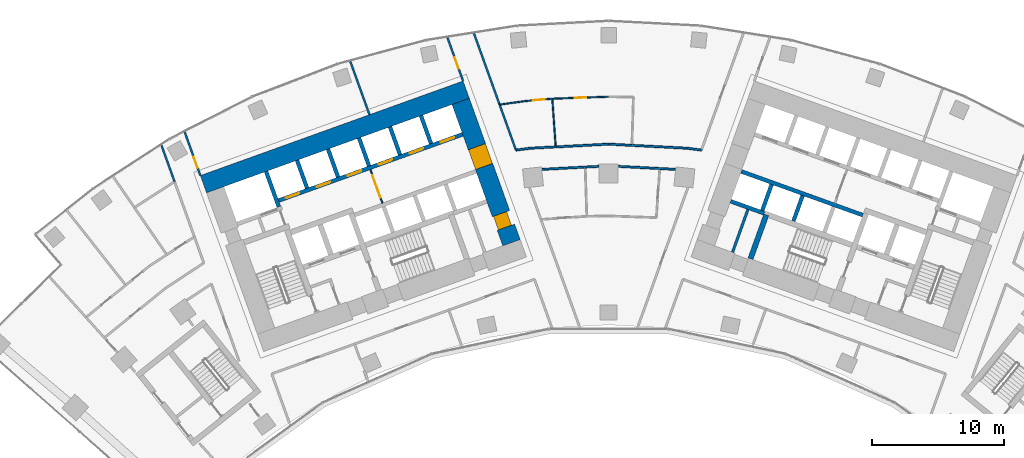
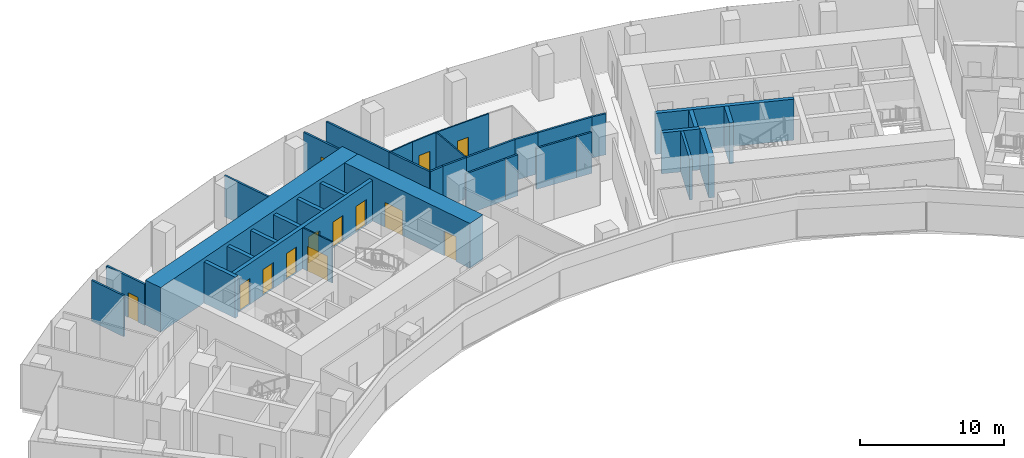
# One storey, part 15 of 21: 36 walls, 13 doors, 13 openings.
"""IFC4 building model written with IfcOpenShell, lengths in metres."""

from ifc_helpers import new_model, si_unit, direction, frame, frame_2d, origin, place, context, subcontext, project, spatial, rectangle, extrude, material, layer, layer_set, type_object, element, fill, save


model = new_model("IFC4")

# Units and contexts
model_context = context("Model", 3, precision=1e-05, world=origin(), true_north=direction((0.0, 1.0)))
body_context = subcontext(model_context, "Body", "Model", "MODEL_VIEW")
ifc_project = project(units=[si_unit("LENGTHUNIT", "METRE"), si_unit("AREAUNIT", "SQUARE_METRE"), si_unit("VOLUMEUNIT", "CUBIC_METRE"), si_unit("PLANEANGLEUNIT", "RADIAN"), si_unit("MASSUNIT", "GRAM", prefix="KILO")], contexts=[model_context])

# Site, building, storey
site_placement = place(None, origin())
site = spatial("IfcSite", under=ifc_project, at=site_placement, CompositionType="ELEMENT")
building_placement = place(site_placement, origin())
building = spatial("IfcBuilding", under=site, at=building_placement, Name="Stone Belt Terrace Tower", CompositionType="ELEMENT")
storey_placement = place(building_placement, frame((0.0, 0.0, 117.39990234375)))
storey = spatial("IfcBuildingStorey", under=building, at=storey_placement, Name="L28", CompositionType="ELEMENT", Elevation=117.39990234375)

# Wall, opening, door
ifc_material_1 = material(Name="Plasterboard partition")
ifc_layer_1 = layer(ifc_material_1, 0.10009765625)
ifc_layer_set_1 = layer_set([ifc_layer_1], Name="Core partition 100")
wall_type_1 = type_object("IfcWallType", Name="Core partition 100", PredefinedType="PARTITIONING", material=ifc_layer_set_1)
wall_1_placement = place(storey_placement, frame((-17.17724609375, 52.749755859375, 0.0), z_axis=(0.0, 0.0, 1.0), x_axis=(-0.338546555931, 0.940949642365, 0.0)))
wall_1 = element("IfcWall", 1, at=wall_1_placement, inside=storey, type_object=wall_type_1, Name="Core A wall", PredefinedType="PARTITIONING", context=body_context, shape_type="SweptSolid", body=[
    extrude(rectangle(XDim=2.699951171875, YDim=0.10009765625, at=frame_2d((1.35009765625, 0.0))), origin(), (0.0, 0.0, 1.0), 3.47998046875),
])
opening_1_placement = place(wall_1_placement, frame((0.449951171875, 0.0, 0.0)))
opening_1 = element("IfcOpeningElement", 2, at=opening_1_placement, cuts=wall_1, Name="Opening L28-C03", PredefinedType="OPENING", context=body_context, shape_type="SweptSolid", body=[
    extrude(rectangle(XDim=1.800048828125, YDim=2.10009765625, at=frame_2d((0.89990234375, 1.050048828125))), frame((0.0, 0.06005859375, 0.0), z_axis=(0.0, -1.0, 0.0), x_axis=(1.0, 0.0, 0.0)), (0.0, 0.0, 1.0), 0.1201171875),
])
ifc_material_2 = material(Name="Glazed aluminium door leaf", Category="aluminium")
door_type_1 = type_object("IfcDoorType", Name="Lift lobby entrance door 1800", OperationType="DOUBLE_DOOR_SINGLE_SWING", PredefinedType="DOOR", material=ifc_material_2)
door_1_placement = place(opening_1_placement, origin())
door_1 = element("IfcDoor", 3, at=door_1_placement, inside=storey, type_object=door_type_1, Name="Lift lobby double door core A", OperationType="DOUBLE_DOOR_SINGLE_SWING", OverallHeight=2.10009765625, OverallWidth=1.800048828125, PredefinedType="DOOR", context=body_context, shape_type="SweptSolid", body=[
    extrude(rectangle(XDim=1.800048828125, YDim=2.10009765625, at=frame_2d((0.89990234375, 1.050048828125))), frame((0.0, 0.02490234375, 0.0), z_axis=(0.0, -1.0, 0.0), x_axis=(1.0, 0.0, 0.0)), (0.0, 0.0, 1.0), 0.050048828125),
])
fill(opening_1, door_1)

# Wall
ifc_material_3 = material(Name="Concrete B80", Category="concrete")
ifc_layer_2 = layer(ifc_material_3, 1.39990234375)
ifc_layer_set_2 = layer_set([ifc_layer_2], Name="Core wall 1400 B80")
wall_type_2 = type_object("IfcWallType", Name="Core wall 1400 B80", PredefinedType="SHEAR", material=ifc_layer_set_2)
wall_2_placement = place(storey_placement, frame((-30.765380859375, 54.18310546875, 0.0), z_axis=(0.0, 0.0, 1.0), x_axis=(0.940919704758, 0.338629752382, 0.0)))
element("IfcWall", 4, at=wall_2_placement, inside=storey, type_object=wall_type_2, Name="Core A wall convex L28", PredefinedType="SHEAR", context=body_context, shape_type="SweptSolid", body=[
    extrude(rectangle(XDim=21.199951171875, YDim=1.39990234375, at=frame_2d((10.60009765625, 0.0))), origin(), (0.0, 0.0, 1.0), 3.800048828125),
])

# Wall, openings, doors
wall_3_placement = place(storey_placement, frame((-7.379150390625, 49.73974609375, 0.0), z_axis=(0.0, 0.0, 1.0), x_axis=(-0.338625431531, 0.940921259788, 0.0)))
wall_3 = element("IfcWall", 5, at=wall_3_placement, inside=storey, type_object=wall_type_2, Name="Core A wall end_b L28", PredefinedType="SHEAR", context=body_context, shape_type="SweptSolid", body=[
    extrude(rectangle(XDim=11.400146484375, YDim=1.39990234375, at=frame_2d((5.7001953125, 0.0))), origin(), (0.0, 0.0, 1.0), 3.800048828125),
])
opening_2_placement = place(wall_3_placement, frame((6.14990234375, 0.0, 0.0)))
opening_2 = element("IfcOpeningElement", 6, at=opening_2_placement, cuts=wall_3, Name="Opening L28-C04", PredefinedType="OPENING", context=body_context, shape_type="SweptSolid", body=[
    extrude(rectangle(XDim=1.60009765625, YDim=2.10009765625, at=frame_2d((0.800048828125, 1.050048828125))), frame((0.0, 0.7099609375, 0.0), z_axis=(0.0, -1.0, 0.0), x_axis=(1.0, 0.0, 0.0)), (0.0, 0.0, 1.0), 1.419921875),
])
opening_3_placement = place(wall_3_placement, frame((1.25, 0.0, 0.0)))
opening_3 = element("IfcOpeningElement", 7, at=opening_3_placement, cuts=wall_3, Name="Opening L28-C10", PredefinedType="OPENING", context=body_context, shape_type="SweptSolid", body=[
    extrude(rectangle(XDim=1.10009765625, YDim=2.10009765625, at=frame_2d((0.550048828125, 1.050048828125))), frame((0.0, 0.7099609375, 0.0), z_axis=(0.0, -1.0, 0.0), x_axis=(1.0, 0.0, 0.0)), (0.0, 0.0, 1.0), 1.419921875),
])
ifc_material_4 = material(Name="Timber door leaf", Category="wood")
door_type_2 = type_object("IfcDoorType", Name="Core room door 1100", OperationType="SINGLE_SWING_LEFT", PredefinedType="DOOR", material=ifc_material_4)
door_2_placement = place(opening_3_placement, origin())
door_2 = element("IfcDoor", 8, at=door_2_placement, inside=storey, type_object=door_type_2, Name="Door to Cleaner's store core A", OperationType="SINGLE_SWING_RIGHT", OverallHeight=2.10009765625, OverallWidth=1.10009765625, PredefinedType="DOOR", context=body_context, shape_type="SweptSolid", body=[
    extrude(rectangle(XDim=1.10009765625, YDim=2.10009765625, at=frame_2d((0.550048828125, 1.050048828125))), frame((0.0, 0.60498046875, 0.0), z_axis=(0.0, -1.0, 0.0), x_axis=(1.0, 0.0, 0.0)), (0.0, 0.0, 1.0), 1.050048828125),
])
fill(opening_3, door_2)
door_type_3 = type_object("IfcDoorType", Name="Lift lobby entrance door 1600", OperationType="DOUBLE_DOOR_SINGLE_SWING", PredefinedType="DOOR", material=ifc_material_2)
door_3_placement = place(opening_2_placement, origin())
door_3 = element("IfcDoor", 9, at=door_3_placement, inside=storey, type_object=door_type_3, Name="Lift lobby entrance door core A", OperationType="DOUBLE_DOOR_SINGLE_SWING", OverallHeight=2.10009765625, OverallWidth=1.60009765625, PredefinedType="DOOR", context=body_context, shape_type="SweptSolid", body=[
    extrude(rectangle(XDim=1.60009765625, YDim=2.10009765625, at=frame_2d((0.800048828125, 1.050048828125))), frame((0.0, 0.68017578125, 0.0), z_axis=(0.0, -1.0, 0.0), x_axis=(1.0, 0.0, 0.0)), (0.0, 0.0, 1.0), 1.360107421875),
])
fill(opening_2, door_3)

# Wall
ifc_layer_3 = layer(ifc_material_3, 0.300048828125)
ifc_layer_set_3 = layer_set([ifc_layer_3], Name="Lift shaft wall 300")
wall_type_3 = type_object("IfcWallType", Name="Lift shaft wall 300", PredefinedType="SHEAR", material=ifc_layer_set_3)
wall_4_placement = place(storey_placement, frame((-25.046875, 52.46826171875, 0.0), z_axis=(0.0, 0.0, 1.0), x_axis=(-0.338549588058, 0.940948551423, 0.0)))
element("IfcWall", 10, at=wall_4_placement, inside=storey, type_object=wall_type_3, Name="Core A wall", PredefinedType="SHEAR", context=body_context, shape_type="SweptSolid", body=[
    extrude(rectangle(XDim=2.849853515625, YDim=0.300048828125, at=frame_2d((1.4248046875, 0.0))), origin(), (0.0, 0.0, 1.0), 3.47998046875),
])

# Wall, openings, doors
wall_5_placement = place(storey_placement, frame((-25.05810546875, 52.9423828125, 0.0), z_axis=(0.0, 0.0, 1.0), x_axis=(0.940918215764, 0.338633889685, 0.0)))
wall_5 = element("IfcWall", 11, at=wall_5_placement, inside=storey, type_object=wall_type_3, Name="Core A wall", PredefinedType="SHEAR", context=body_context, shape_type="SweptSolid", body=[
    extrude(rectangle(XDim=14.850341796875, YDim=0.300048828125, at=frame_2d((7.42529296875, 0.0))), origin(), (0.0, 0.0, 1.0), 3.47998046875),
])
opening_4_placement = place(wall_5_placement, frame((0.570068359375, 0.0, 0.0)))
opening_4 = element("IfcOpeningElement", 12, at=opening_4_placement, cuts=wall_5, Name="Opening L28-LD01", PredefinedType="OPENING", context=body_context, shape_type="SweptSolid", body=[
    extrude(rectangle(XDim=1.10009765625, YDim=2.199951171875, at=frame_2d((0.550048828125, 1.10009765625))), frame((0.0, 0.159912109375, 0.0), z_axis=(0.0, -1.0, 0.0), x_axis=(1.0, 0.0, 0.0)), (0.0, 0.0, 1.0), 0.320068359375),
])
opening_5_placement = place(wall_5_placement, frame((3.070068359375, 0.0, 0.0)))
opening_5 = element("IfcOpeningElement", 13, at=opening_5_placement, cuts=wall_5, Name="Opening L28-LD02", PredefinedType="OPENING", context=body_context, shape_type="SweptSolid", body=[
    extrude(rectangle(XDim=1.10009765625, YDim=2.199951171875, at=frame_2d((0.550048828125, 1.10009765625))), frame((0.0, 0.159912109375, 0.0), z_axis=(0.0, -1.0, 0.0), x_axis=(1.0, 0.0, 0.0)), (0.0, 0.0, 1.0), 0.320068359375),
])
opening_6_placement = place(wall_5_placement, frame((5.570068359375, 0.0, 0.0)))
opening_6 = element("IfcOpeningElement", 14, at=opening_6_placement, cuts=wall_5, Name="Opening L28-LD03", PredefinedType="OPENING", context=body_context, shape_type="SweptSolid", body=[
    extrude(rectangle(XDim=1.10009765625, YDim=2.199951171875, at=frame_2d((0.550048828125, 1.10009765625))), frame((0.0, 0.159912109375, 0.0), z_axis=(0.0, -1.0, 0.0), x_axis=(1.0, 0.0, 0.0)), (0.0, 0.0, 1.0), 0.320068359375),
])
opening_7_placement = place(wall_5_placement, frame((8.070068359375, 0.0, 0.0)))
opening_7 = element("IfcOpeningElement", 15, at=opening_7_placement, cuts=wall_5, Name="Opening L28-LD04", PredefinedType="OPENING", context=body_context, shape_type="SweptSolid", body=[
    extrude(rectangle(XDim=1.10009765625, YDim=2.199951171875, at=frame_2d((0.550048828125, 1.10009765625))), frame((0.0, 0.159912109375, 0.0), z_axis=(0.0, -1.0, 0.0), x_axis=(1.0, 0.0, 0.0)), (0.0, 0.0, 1.0), 0.320068359375),
])
opening_8_placement = place(wall_5_placement, frame((10.570068359375, 0.0, 0.0)))
opening_8 = element("IfcOpeningElement", 16, at=opening_8_placement, cuts=wall_5, Name="Opening L28-LD05", PredefinedType="OPENING", context=body_context, shape_type="SweptSolid", body=[
    extrude(rectangle(XDim=1.10009765625, YDim=2.199951171875, at=frame_2d((0.550048828125, 1.10009765625))), frame((0.0, 0.159912109375, 0.0), z_axis=(0.0, -1.0, 0.0), x_axis=(1.0, 0.0, 0.0)), (0.0, 0.0, 1.0), 0.320068359375),
])
opening_9_placement = place(wall_5_placement, frame((13.070068359375, 0.0, 0.0)))
opening_9 = element("IfcOpeningElement", 17, at=opening_9_placement, cuts=wall_5, Name="Opening L28-LD06", PredefinedType="OPENING", context=body_context, shape_type="SweptSolid", body=[
    extrude(rectangle(XDim=1.10009765625, YDim=2.199951171875, at=frame_2d((0.550048828125, 1.10009765625))), frame((0.0, 0.159912109375, 0.0), z_axis=(0.0, -1.0, 0.0), x_axis=(1.0, 0.0, 0.0)), (0.0, 0.0, 1.0), 0.320068359375),
])
ifc_material_5 = material(Name="Stainless steel door leaf", Category="steel")
door_type_4 = type_object("IfcDoorType", Name="Landing door 1100", OperationType="SLIDING_TO_LEFT", PredefinedType="DOOR", material=ifc_material_5)
door_4_placement = place(opening_4_placement, origin())
door_4 = element("IfcDoor", 18, at=door_4_placement, inside=storey, type_object=door_type_4, Name="Landing door LR1 core A", OperationType="SLIDING_TO_LEFT", OverallHeight=2.199951171875, OverallWidth=1.10009765625, PredefinedType="DOOR", context=body_context, shape_type="SweptSolid", body=[
    extrude(rectangle(XDim=1.10009765625, YDim=2.199951171875, at=frame_2d((0.550048828125, 1.10009765625))), frame((0.0, 0.02490234375, 0.0), z_axis=(0.0, -1.0, 0.0), x_axis=(1.0, 0.0, 0.0)), (0.0, 0.0, 1.0), 0.050048828125),
])
fill(opening_4, door_4)
door_5_placement = place(opening_5_placement, origin())
door_5 = element("IfcDoor", 19, at=door_5_placement, inside=storey, type_object=door_type_4, Name="Landing door LR2 core A", OperationType="SLIDING_TO_LEFT", OverallHeight=2.199951171875, OverallWidth=1.10009765625, PredefinedType="DOOR", context=body_context, shape_type="SweptSolid", body=[
    extrude(rectangle(XDim=1.10009765625, YDim=2.199951171875, at=frame_2d((0.550048828125, 1.10009765625))), frame((0.0, 0.02490234375, 0.0), z_axis=(0.0, -1.0, 0.0), x_axis=(1.0, 0.0, 0.0)), (0.0, 0.0, 1.0), 0.050048828125),
])
fill(opening_5, door_5)
door_6_placement = place(opening_6_placement, origin())
door_6 = element("IfcDoor", 20, at=door_6_placement, inside=storey, type_object=door_type_4, Name="Landing door LR3 core A", OperationType="SLIDING_TO_LEFT", OverallHeight=2.199951171875, OverallWidth=1.10009765625, PredefinedType="DOOR", context=body_context, shape_type="SweptSolid", body=[
    extrude(rectangle(XDim=1.10009765625, YDim=2.199951171875, at=frame_2d((0.550048828125, 1.10009765625))), frame((0.0, 0.02490234375, 0.0), z_axis=(0.0, -1.0, 0.0), x_axis=(1.0, 0.0, 0.0)), (0.0, 0.0, 1.0), 0.050048828125),
])
fill(opening_6, door_6)
door_7_placement = place(opening_7_placement, origin())
door_7 = element("IfcDoor", 21, at=door_7_placement, inside=storey, type_object=door_type_4, Name="Landing door LR4 core A", OperationType="SLIDING_TO_LEFT", OverallHeight=2.199951171875, OverallWidth=1.10009765625, PredefinedType="DOOR", context=body_context, shape_type="SweptSolid", body=[
    extrude(rectangle(XDim=1.10009765625, YDim=2.199951171875, at=frame_2d((0.550048828125, 1.10009765625))), frame((0.0, 0.02490234375, 0.0), z_axis=(0.0, -1.0, 0.0), x_axis=(1.0, 0.0, 0.0)), (0.0, 0.0, 1.0), 0.050048828125),
])
fill(opening_7, door_7)
door_8_placement = place(opening_8_placement, origin())
door_8 = element("IfcDoor", 22, at=door_8_placement, inside=storey, type_object=door_type_4, Name="Landing door LR5 core A", OperationType="SLIDING_TO_LEFT", OverallHeight=2.199951171875, OverallWidth=1.10009765625, PredefinedType="DOOR", context=body_context, shape_type="SweptSolid", body=[
    extrude(rectangle(XDim=1.10009765625, YDim=2.199951171875, at=frame_2d((0.550048828125, 1.10009765625))), frame((0.0, 0.02490234375, 0.0), z_axis=(0.0, -1.0, 0.0), x_axis=(1.0, 0.0, 0.0)), (0.0, 0.0, 1.0), 0.050048828125),
])
fill(opening_8, door_8)
door_9_placement = place(opening_9_placement, origin())
door_9 = element("IfcDoor", 23, at=door_9_placement, inside=storey, type_object=door_type_4, Name="Landing door LR6 core A", OperationType="SLIDING_TO_LEFT", OverallHeight=2.199951171875, OverallWidth=1.10009765625, PredefinedType="DOOR", context=body_context, shape_type="SweptSolid", body=[
    extrude(rectangle(XDim=1.10009765625, YDim=2.199951171875, at=frame_2d((0.550048828125, 1.10009765625))), frame((0.0, 0.02490234375, 0.0), z_axis=(0.0, -1.0, 0.0), x_axis=(1.0, 0.0, 0.0)), (0.0, 0.0, 1.0), 0.050048828125),
])
fill(opening_9, door_9)

# Walls
wall_6_placement = place(storey_placement, frame((-22.897705078125, 53.87939453125, 0.0), z_axis=(0.0, 0.0, 1.0), x_axis=(-0.338535034312, 0.940953787677, 0.0)))
element("IfcWall", 24, at=wall_6_placement, inside=storey, type_object=wall_type_3, Name="Core A wall", PredefinedType="SHEAR", context=body_context, shape_type="SweptSolid", body=[
    extrude(rectangle(XDim=2.25, YDim=0.300048828125, at=frame_2d((1.125, 0.0))), origin(), (0.0, 0.0, 1.0), 3.47998046875),
])
wall_7_placement = place(storey_placement, frame((-20.54541015625, 54.72607421875, 0.0), z_axis=(0.0, 0.0, 1.0), x_axis=(-0.338569601369, 0.940941350472, 0.0)))
element("IfcWall", 25, at=wall_7_placement, inside=storey, type_object=wall_type_3, Name="Core A wall", PredefinedType="SHEAR", context=body_context, shape_type="SweptSolid", body=[
    extrude(rectangle(XDim=2.249755859375, YDim=0.300048828125, at=frame_2d((1.125, 0.0))), origin(), (0.0, 0.0, 1.0), 3.47998046875),
])
wall_8_placement = place(storey_placement, frame((-18.193115234375, 55.572509765625, 0.0), z_axis=(0.0, 0.0, 1.0), x_axis=(-0.338535034312, 0.940953787677, 0.0)))
element("IfcWall", 26, at=wall_8_placement, inside=storey, type_object=wall_type_3, Name="Core A wall", PredefinedType="SHEAR", context=body_context, shape_type="SweptSolid", body=[
    extrude(rectangle(XDim=2.25, YDim=0.300048828125, at=frame_2d((1.125, 0.0))), origin(), (0.0, 0.0, 1.0), 3.47998046875),
])
wall_9_placement = place(storey_placement, frame((-15.8408203125, 56.419189453125, 0.0), z_axis=(0.0, 0.0, 1.0), x_axis=(-0.338569601369, 0.940941350472, 0.0)))
element("IfcWall", 27, at=wall_9_placement, inside=storey, type_object=wall_type_3, Name="Core A wall", PredefinedType="SHEAR", context=body_context, shape_type="SweptSolid", body=[
    extrude(rectangle(XDim=2.249755859375, YDim=0.300048828125, at=frame_2d((1.125, 0.0))), origin(), (0.0, 0.0, 1.0), 3.47998046875),
])
wall_10_placement = place(storey_placement, frame((-13.48828125, 57.265625, 0.0), z_axis=(0.0, 0.0, 1.0), x_axis=(-0.338631098537, 0.940919220286, 0.0)))
element("IfcWall", 28, at=wall_10_placement, inside=storey, type_object=wall_type_3, Name="Core A wall", PredefinedType="SHEAR", context=body_context, shape_type="SweptSolid", body=[
    extrude(rectangle(XDim=2.250244140625, YDim=0.300048828125, at=frame_2d((1.125, 0.0))), origin(), (0.0, 0.0, 1.0), 3.47998046875),
])
wall_11_placement = place(storey_placement, frame((19.29052734375, 51.829833984375, 0.0), z_axis=(0.0, 0.0, 1.0), x_axis=(-0.940925833398, 0.338612722803, 0.0)))
element("IfcWall", 29, at=wall_11_placement, inside=storey, type_object=wall_type_3, Name="Core B wall", PredefinedType="SHEAR", context=body_context, shape_type="SweptSolid", body=[
    extrude(rectangle(XDim=9.7998046875, YDim=0.300048828125, at=frame_2d((4.89990234375, 0.0))), origin(), (0.0, 0.0, 1.0), 3.47998046875),
])
wall_12_placement = place(storey_placement, frame((14.029052734375, 51.38525390625, 0.0), z_axis=(0.0, 0.0, 1.0), x_axis=(0.338681515556, 0.940901073982, 0.0)))
element("IfcWall", 30, at=wall_12_placement, inside=storey, type_object=wall_type_3, Name="Core B wall", PredefinedType="SHEAR", context=body_context, shape_type="SweptSolid", body=[
    extrude(rectangle(XDim=2.050048828125, YDim=0.300048828125, at=frame_2d((1.02490234375, 0.0))), origin(), (0.0, 0.0, 1.0), 3.47998046875),
])
wall_13_placement = place(storey_placement, frame((11.797119140625, 51.975830078125, 0.0), z_axis=(0.0, 0.0, 1.0), x_axis=(-0.940910465161, 0.33865542451, 0.0)))
element("IfcWall", 31, at=wall_13_placement, inside=storey, type_object=wall_type_3, Name="Core B wall", PredefinedType="SHEAR", context=body_context, shape_type="SweptSolid", body=[
    extrude(rectangle(XDim=2.69970703125, YDim=0.300048828125, at=frame_2d((1.349853515625, 0.0))), origin(), (0.0, 0.0, 1.0), 3.47998046875),
])
wall_14_placement = place(storey_placement, frame((11.659912109375, 52.184814453125, 0.0), z_axis=(0.0, 0.0, 1.0), x_axis=(0.338670064856, 0.940905195634, 0.0)))
element("IfcWall", 32, at=wall_14_placement, inside=storey, type_object=wall_type_3, Name="Core B wall", PredefinedType="SHEAR", context=body_context, shape_type="SweptSolid", body=[
    extrude(rectangle(XDim=2.099853515625, YDim=0.300048828125, at=frame_2d((1.0498046875, 0.0))), origin(), (0.0, 0.0, 1.0), 3.47998046875),
])

# Wall, opening, door
ifc_material_6 = material(Name="Gypsum board partition")
ifc_layer_4 = layer(ifc_material_6, 0.10009765625)
ifc_layer_set_4 = layer_set([ifc_layer_4], Name="PARTITION 100")
wall_type_4 = type_object("IfcWallType", Name="PARTITION 100", PredefinedType="PARTITIONING", material=ifc_layer_set_4)
wall_15_placement = place(storey_placement, frame((-4.281005859375, 60.674072265625, 0.0), z_axis=(0.0, 0.0, 1.0), x_axis=(-0.996177048446, -0.087357244404, 0.0)))
wall_15 = element("IfcWall", 33, at=wall_15_placement, inside=storey, type_object=wall_type_4, Name="L28/wall/i100", PredefinedType="PARTITIONING", context=body_context, shape_type="SweptSolid", body=[
    extrude(rectangle(XDim=2.0849609375, YDim=0.10009765625, at=frame_2d((1.04248046875, 0.0))), origin(), (0.0, 0.0, 1.0), 3.47998046875),
])
opening_10_placement = place(wall_15_placement, frame((0.592529296875, 0.0, 0.0)))
opening_10 = element("IfcOpeningElement", 34, at=opening_10_placement, cuts=wall_15, Name="Opening D-B4-32", PredefinedType="OPENING", context=body_context, shape_type="SweptSolid", body=[
    extrude(rectangle(XDim=0.89990234375, YDim=2.10009765625, at=frame_2d((0.449951171875, 1.050048828125))), frame((0.0, 0.06005859375, 0.0), z_axis=(0.0, -1.0, 0.0), x_axis=(1.0, 0.0, 0.0)), (0.0, 0.0, 1.0), 0.1201171875),
])
door_type_5 = type_object("IfcDoorType", Name="OFFICE DOOR 900 X 2100", OperationType="NOTDEFINED", PredefinedType="DOOR", material=ifc_material_4)
door_10_placement = place(opening_10_placement, origin())
door_10 = element("IfcDoor", 35, at=door_10_placement, inside=storey, type_object=door_type_5, Name="L28/door/i32", OperationType="SINGLE_SWING_RIGHT", OverallHeight=2.10009765625, OverallWidth=0.89990234375, PredefinedType="DOOR", context=body_context, shape_type="SweptSolid", body=[
    extrude(rectangle(XDim=0.89990234375, YDim=2.10009765625, at=frame_2d((0.449951171875, 1.050048828125))), frame((0.0, 0.02490234375, 0.0), z_axis=(0.0, -1.0, 0.0), x_axis=(1.0, 0.0, 0.0)), (0.0, 0.0, 1.0), 0.050048828125),
])
fill(opening_10, door_10)

# Wall
wall_16_placement = place(storey_placement, frame((-6.35791015625, 60.491943359375, 0.0), z_axis=(0.0, 0.0, 1.0), x_axis=(-0.990460391638, -0.137797723478, 0.0)))
element("IfcWall", 36, at=wall_16_placement, inside=storey, type_object=wall_type_4, Name="L28/wall/i101", PredefinedType="PARTITIONING", context=body_context, shape_type="SweptSolid", body=[
    extrude(rectangle(XDim=1.943603515625, YDim=0.10009765625, at=frame_2d((0.9716796875, 0.0))), origin(), (0.0, 0.0, 1.0), 3.47998046875),
])

# Wall, opening, door
wall_17_placement = place(storey_placement, frame((0.0, 60.824951171875, 0.0), z_axis=(0.0, 0.0, 1.0), x_axis=(-0.999379515327, -0.035221929882, 0.0)))
wall_17 = element("IfcWall", 37, at=wall_17_placement, inside=storey, type_object=wall_type_4, Name="L28/wall/i104", PredefinedType="PARTITIONING", context=body_context, shape_type="SweptSolid", body=[
    extrude(rectangle(XDim=4.28369140625, YDim=0.10009765625, at=frame_2d((2.141845703125, 0.0))), origin(), (0.0, 0.0, 1.0), 3.47998046875),
])
opening_11_placement = place(wall_17_placement, frame((1.69189453125, 0.0, 0.0)))
opening_11 = element("IfcOpeningElement", 38, at=opening_11_placement, cuts=wall_17, Name="Opening D-B4-33", PredefinedType="OPENING", context=body_context, shape_type="SweptSolid", body=[
    extrude(rectangle(XDim=0.89990234375, YDim=2.10009765625, at=frame_2d((0.449951171875, 1.050048828125))), frame((0.0, 0.06005859375, 0.0), z_axis=(0.0, -1.0, 0.0), x_axis=(1.0, 0.0, 0.0)), (0.0, 0.0, 1.0), 0.1201171875),
])
door_11_placement = place(opening_11_placement, origin())
door_11 = element("IfcDoor", 39, at=door_11_placement, inside=storey, type_object=door_type_5, Name="L28/door/i33", OperationType="SINGLE_SWING_RIGHT", OverallHeight=2.10009765625, OverallWidth=0.89990234375, PredefinedType="DOOR", context=body_context, shape_type="SweptSolid", body=[
    extrude(rectangle(XDim=0.89990234375, YDim=2.10009765625, at=frame_2d((0.449951171875, 1.050048828125))), frame((0.0, 0.02490234375, 0.0), z_axis=(0.0, -1.0, 0.0), x_axis=(1.0, 0.0, 0.0)), (0.0, 0.0, 1.0), 0.050048828125),
])
fill(opening_11, door_11)

# Wall
wall_18_placement = place(storey_placement, frame((-4.281005859375, 60.674072265625, 0.0), z_axis=(0.0, 0.0, 1.0), x_axis=(0.070613257155, -0.997503768371, 0.0)))
element("IfcWall", 40, at=wall_18_placement, inside=storey, type_object=wall_type_4, Name="L28/wall/i105", PredefinedType="PARTITIONING", context=body_context, shape_type="SweptSolid", body=[
    extrude(rectangle(XDim=3.66845703125, YDim=0.10009765625, at=frame_2d((1.834228515625, 0.0))), origin(), (0.0, 0.0, 1.0), 3.47998046875),
])

# Wall, opening, door
ifc_layer_5 = layer(ifc_material_6, 0.14990234375)
ifc_layer_set_5 = layer_set([ifc_layer_5], Name="PARTITION 150 EI 60")
wall_type_5 = type_object("IfcWallType", Name="PARTITION 150 EI 60", PredefinedType="PARTITIONING", material=ifc_layer_set_5)
wall_19_placement = place(storey_placement, frame((-32.185791015625, 58.131103515625, 0.0), z_axis=(0.0, 0.0, 1.0), x_axis=(0.338662585219, -0.940907887826, 0.0)))
wall_19 = element("IfcWall", 41, at=wall_19_placement, inside=storey, type_object=wall_type_5, Name="L28/wall/i002", PredefinedType="PARTITIONING", context=body_context, shape_type="SweptSolid", body=[
    extrude(rectangle(XDim=3.49560546875, YDim=0.14990234375, at=frame_2d((1.747802734375, 0.0))), origin(), (0.0, 0.0, 1.0), 3.47998046875),
])
opening_12_placement = place(wall_19_placement, frame((1.996337890625, 0.0, 0.0)))
opening_12 = element("IfcOpeningElement", 42, at=opening_12_placement, cuts=wall_19, Name="Opening D-B4-04", PredefinedType="OPENING", context=body_context, shape_type="SweptSolid", body=[
    extrude(rectangle(XDim=0.89990234375, YDim=2.10009765625, at=frame_2d((0.449951171875, 1.050048828125))), frame((0.0, 0.0849609375, 0.0), z_axis=(0.0, -1.0, 0.0), x_axis=(1.0, 0.0, 0.0)), (0.0, 0.0, 1.0), 0.169921875),
])
door_12_placement = place(opening_12_placement, origin())
door_12 = element("IfcDoor", 43, at=door_12_placement, inside=storey, type_object=door_type_5, Name="L28/door/i04", OperationType="SINGLE_SWING_RIGHT", OverallHeight=2.10009765625, OverallWidth=0.89990234375, PredefinedType="DOOR", context=body_context, shape_type="SweptSolid", body=[
    extrude(rectangle(XDim=0.89990234375, YDim=2.10009765625, at=frame_2d((0.449951171875, 1.050048828125))), frame((0.0, 0.02490234375, 0.0), z_axis=(0.0, -1.0, 0.0), x_axis=(1.0, 0.0, 0.0)), (0.0, 0.0, 1.0), 0.050048828125),
])
fill(opening_12, door_12)

# Wall
wall_20_placement = place(storey_placement, frame((-32.95703125, 54.365966796875, 0.0), z_axis=(0.0, 0.0, 1.0), x_axis=(-0.338545891474, 0.940949881432, 0.0)))
element("IfcWall", 44, at=wall_20_placement, inside=storey, type_object=wall_type_5, Name="L28/wall/i007", PredefinedType="PARTITIONING", context=body_context, shape_type="SweptSolid", body=[
    extrude(rectangle(XDim=2.938720703125, YDim=0.14990234375, at=frame_2d((1.46923828125, 0.0))), origin(), (0.0, 0.0, 1.0), 3.47998046875),
])

# Wall, opening, door
wall_21_placement = place(storey_placement, frame((-11.054931640625, 62.02099609375, 0.0), z_axis=(0.0, 0.0, 1.0), x_axis=(-0.338853532575, 0.94083913793, 0.0)))
wall_21 = element("IfcWall", 45, at=wall_21_placement, inside=storey, type_object=wall_type_5, Name="L28/wall/i009", PredefinedType="PARTITIONING", context=body_context, shape_type="SweptSolid", body=[
    extrude(rectangle(XDim=3.482177734375, YDim=0.14990234375, at=frame_2d((1.7412109375, 0.0))), origin(), (0.0, 0.0, 1.0), 3.47998046875),
])
opening_13_placement = place(wall_21_placement, frame((0.99365234375, 0.0, 0.0)))
opening_13 = element("IfcOpeningElement", 46, at=opening_13_placement, cuts=wall_21, Name="Opening D-B4-05", PredefinedType="OPENING", context=body_context, shape_type="SweptSolid", body=[
    extrude(rectangle(XDim=0.89990234375, YDim=2.10009765625, at=frame_2d((0.449951171875, 1.050048828125))), frame((0.0, 0.0849609375, 0.0), z_axis=(0.0, -1.0, 0.0), x_axis=(1.0, 0.0, 0.0)), (0.0, 0.0, 1.0), 0.169921875),
])
door_13_placement = place(opening_13_placement, origin())
door_13 = element("IfcDoor", 47, at=door_13_placement, inside=storey, type_object=door_type_5, Name="L28/door/i05", OperationType="SINGLE_SWING_LEFT", OverallHeight=2.10009765625, OverallWidth=0.89990234375, PredefinedType="DOOR", context=body_context, shape_type="SweptSolid", body=[
    extrude(rectangle(XDim=0.89990234375, YDim=2.10009765625, at=frame_2d((0.449951171875, 1.050048828125))), frame((0.0, 0.02490234375, 0.0), z_axis=(0.0, -1.0, 0.0), x_axis=(1.0, 0.0, 0.0)), (0.0, 0.0, 1.0), 0.050048828125),
])
fill(opening_13, door_13)

# Walls
wall_22_placement = place(storey_placement, frame((-10.223876953125, 65.6162109375, 0.0), z_axis=(0.0, 0.0, 1.0), x_axis=(0.338645630419, -0.940913990223, 0.0)))
element("IfcWall", 48, at=wall_22_placement, inside=storey, type_object=wall_type_5, Name="L28/wall/i012", PredefinedType="PARTITIONING", context=body_context, shape_type="SweptSolid", body=[
    extrude(rectangle(XDim=5.737060546875, YDim=0.14990234375, at=frame_2d((2.86865234375, 0.0))), origin(), (0.0, 0.0, 1.0), 3.47998046875),
])
wall_23_placement = place(storey_placement, frame((-8.284912109375, 60.22998046875, 0.0), z_axis=(0.0, 0.0, 1.0), x_axis=(0.338529182342, -0.94095589307, 0.0)))
element("IfcWall", 49, at=wall_23_placement, inside=storey, type_object=wall_type_5, Name="L28/wall/i013", PredefinedType="PARTITIONING", context=body_context, shape_type="SweptSolid", body=[
    extrude(rectangle(XDim=3.68017578125, YDim=0.14990234375, at=frame_2d((1.840087890625, 0.0))), origin(), (0.0, 0.0, 1.0), 3.47998046875),
])
wall_24_placement = place(storey_placement, frame((-19.614990234375, 63.4951171875, 0.0), z_axis=(0.0, 0.0, 1.0), x_axis=(0.338782001983, -0.940864897386, 0.0)))
element("IfcWall", 50, at=wall_24_placement, inside=storey, type_object=wall_type_5, Name="L28/wall/i020", PredefinedType="PARTITIONING", context=body_context, shape_type="SweptSolid", body=[
    extrude(rectangle(XDim=4.28564453125, YDim=0.14990234375, at=frame_2d((2.142822265625, 0.0))), origin(), (0.0, 0.0, 1.0), 3.47998046875),
])
wall_25_placement = place(storey_placement, frame((5.05419921875, 55.310302734375, 0.0), z_axis=(0.0, 0.0, 1.0), x_axis=(-0.998637698263, 0.052179954081, 0.0)))
element("IfcWall", 51, at=wall_25_placement, inside=storey, type_object=wall_type_5, Name="L28/wall/i085", PredefinedType="PARTITIONING", context=body_context, shape_type="SweptSolid", body=[
    extrude(rectangle(XDim=1.183837890625, YDim=0.14990234375, at=frame_2d((0.591796875, 0.0))), origin(), (0.0, 0.0, 1.0), 3.47998046875),
])
wall_26_placement = place(storey_placement, frame((-1.777099609375, 55.48193359375, 0.0), z_axis=(0.0, 0.0, 1.0), x_axis=(-0.998635243158, -0.052226919519, 0.0)))
element("IfcWall", 52, at=wall_26_placement, inside=storey, type_object=wall_type_5, Name="L28/wall/i086", PredefinedType="PARTITIONING", context=body_context, shape_type="SweptSolid", body=[
    extrude(rectangle(XDim=3.281494140625, YDim=0.14990234375, at=frame_2d((1.640625, 0.0))), origin(), (0.0, 0.0, 1.0), 3.47998046875),
])
wall_27_placement = place(storey_placement, frame((3.884033203125, 55.3720703125, 0.0), z_axis=(0.0, 0.0, 1.0), x_axis=(-0.998636491381, 0.052203046674, 0.0)))
element("IfcWall", 53, at=wall_27_placement, inside=storey, type_object=wall_type_5, Name="L28/wall/i087", PredefinedType="PARTITIONING", context=body_context, shape_type="SweptSolid", body=[
    extrude(rectangle(XDim=3.13330078125, YDim=0.14990234375, at=frame_2d((1.566650390625, 0.0))), origin(), (0.0, 0.0, 1.0), 3.47998046875),
])
wall_28_placement = place(storey_placement, frame((-0.7548828125, 55.535400390625, 0.0), z_axis=(0.0, 0.0, 1.0), x_axis=(-0.998617178026, -0.052571206492, 0.0)))
element("IfcWall", 54, at=wall_28_placement, inside=storey, type_object=wall_type_5, Name="L28/wall/i088", PredefinedType="PARTITIONING", context=body_context, shape_type="SweptSolid", body=[
    extrude(rectangle(XDim=1.03564453125, YDim=0.14990234375, at=frame_2d((0.517822265625, 0.0))), origin(), (0.0, 0.0, 1.0), 3.47998046875),
])
wall_29_placement = place(storey_placement, frame((1.757080078125, 57.133056640625, 0.0), z_axis=(0.0, 0.0, 1.0), x_axis=(0.998635309304, -0.052225654719, 0.0)))
element("IfcWall", 55, at=wall_29_placement, inside=storey, type_object=wall_type_5, Name="L28/wall/i089", PredefinedType="PARTITIONING", context=body_context, shape_type="SweptSolid", body=[
    extrude(rectangle(XDim=4.230712890625, YDim=0.14990234375, at=frame_2d((2.115234375, 0.0))), origin(), (0.0, 0.0, 1.0), 3.47998046875),
])
for number, where, z_axis, x_axis, name in (
    (56, (5.98193359375, 56.912109375, 0.0), (0.0, 0.0, 1.0), (0.991477617634, -0.130277142013, 0.0), "L28/wall/i090"),
    (57, (-7.041015625, 56.77294921875, 0.0), (0.0, 0.0, 1.0), (0.991477617634, 0.130277142013, 0.0), "L28/wall/i091"),
):
    element("IfcWall", number, at=place(storey_placement, frame(where, z_axis=z_axis, x_axis=x_axis)), inside=storey, type_object=wall_type_5, Name=name, PredefinedType="PARTITIONING", context=body_context, shape_type="SweptSolid", body=[
        extrude(rectangle(XDim=1.068115234375, YDim=0.14990234375, at=frame_2d((0.5341796875, 0.0))), origin(), (0.0, 0.0, 1.0), 3.47998046875),
    ])
wall_30_placement = place(storey_placement, frame((-5.98193359375, 56.912109375, 0.0), z_axis=(0.0, 0.0, 1.0), x_axis=(0.998635927849, 0.052213825835, 0.0)))
element("IfcWall", 58, at=wall_30_placement, inside=storey, type_object=wall_type_5, Name="L28/wall/i092", PredefinedType="PARTITIONING", context=body_context, shape_type="SweptSolid", body=[
    extrude(rectangle(XDim=1.968505859375, YDim=0.14990234375, at=frame_2d((0.984375, 0.0))), origin(), (0.0, 0.0, 1.0), 3.47998046875),
])
wall_31_placement = place(storey_placement, frame((-4.028076171875, 57.013916015625, 0.0), z_axis=(0.0, 0.0, 1.0), x_axis=(0.998628509472, 0.052355516134, 0.0)))
element("IfcWall", 59, at=wall_31_placement, inside=storey, type_object=wall_type_5, Name="L28/wall/i093", PredefinedType="PARTITIONING", context=body_context, shape_type="SweptSolid", body=[
    extrude(rectangle(XDim=4.03369140625, YDim=0.14990234375, at=frame_2d((2.016845703125, 0.0))), origin(), (0.0, 0.0, 1.0), 3.47998046875),
])
wall_32_placement = place(storey_placement, frame((0.0, 57.22509765625, 0.0), z_axis=(0.0, 0.0, 1.0), x_axis=(0.998620493014, -0.052508198708, 0.0)))
element("IfcWall", 60, at=wall_32_placement, inside=storey, type_object=wall_type_5, Name="L28/wall/i094", PredefinedType="PARTITIONING", context=body_context, shape_type="SweptSolid", body=[
    extrude(rectangle(XDim=1.771484375, YDim=0.14990234375, at=frame_2d((0.8857421875, 0.0))), origin(), (0.0, 0.0, 1.0), 3.47998046875),
])
ifc_material_7 = material(Name="Concrete masonry block", Category="masonry")
ifc_layer_6 = layer(ifc_material_7, 0.199951171875)
ifc_layer_set_6 = layer_set([ifc_layer_6], Name="Rated lobby wall 200")
wall_type_6 = type_object("IfcWallType", Name="Rated lobby wall 200", PredefinedType="PARTITIONING", material=ifc_layer_set_6)
wall_33_placement = place(storey_placement, frame((9.402099609375, 49.01171875, 0.0), z_axis=(0.0, 0.0, 1.0), x_axis=(0.338599189079, 0.940930703695, 0.0)))
element("IfcWall", 61, at=wall_33_placement, inside=storey, type_object=wall_type_6, Name="Core B wall", PredefinedType="PARTITIONING", context=body_context, shape_type="SweptSolid", body=[
    extrude(rectangle(XDim=3.4501953125, YDim=0.199951171875, at=frame_2d((1.72509765625, 0.0))), origin(), (0.0, 0.0, 1.0), 3.47998046875),
])
ifc_layer_7 = layer(ifc_material_3, 0.39990234375)
ifc_layer_set_7 = layer_set([ifc_layer_7], Name="Stair enclosure wall 400")
wall_type_7 = type_object("IfcWallType", Name="Stair enclosure wall 400", PredefinedType="SHEAR", material=ifc_layer_set_7)
wall_34_placement = place(storey_placement, frame((10.766357421875, 48.520751953125, 0.0), z_axis=(0.0, 0.0, 1.0), x_axis=(0.338626928157, 0.94092072117, 0.0)))
element("IfcWall", 62, at=wall_34_placement, inside=storey, type_object=wall_type_7, Name="Core B wall", PredefinedType="SHEAR", context=body_context, shape_type="SweptSolid", body=[
    extrude(rectangle(XDim=3.550048828125, YDim=0.39990234375, at=frame_2d((1.77490234375, 0.0))), origin(), (0.0, 0.0, 1.0), 3.47998046875),
])

save(model, "model.ifc")
